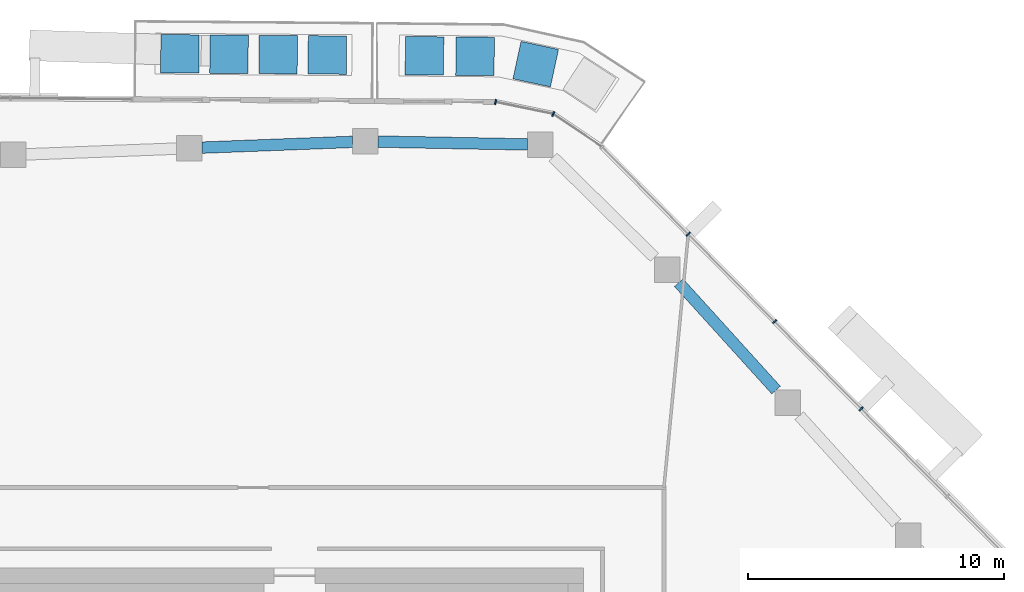
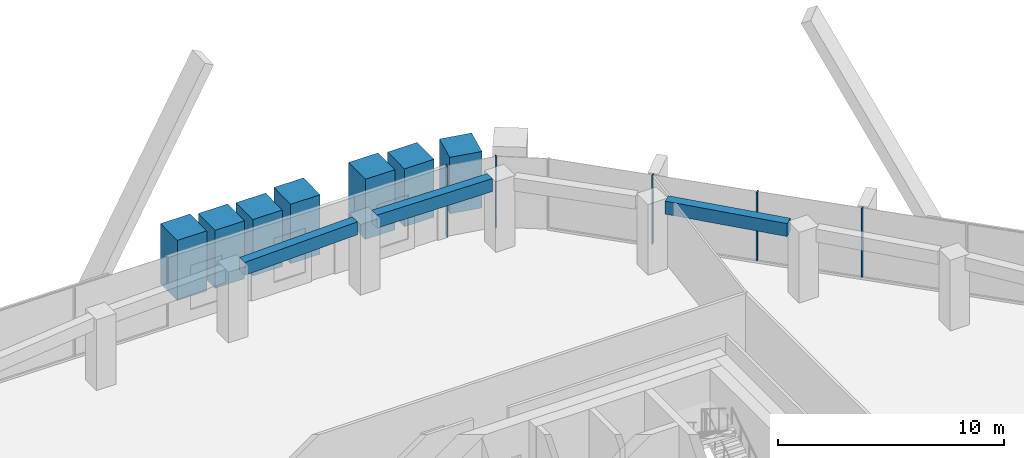
# One storey, part 9 of 23: 12 members, 3 beams, 2 elements without a shape of their own.
"""IFC4 building model written with IfcOpenShell, lengths in metres."""

from ifc_helpers import new_model, si_unit, direction, frame, origin, origin_2d, place, context, subcontext, project, spatial, rectangle, extrude, material, layer, layer_set, material_profile, profile_set, type_object, element, aggregate, save


model = new_model("IFC4")

# Units and contexts
model_context = context("Model", 3, precision=1e-05, world=origin(), true_north=direction((0.0, 1.0)))
body_context = subcontext(model_context, "Body", "Model", "MODEL_VIEW")
ifc_project = project(units=[si_unit("LENGTHUNIT", "METRE"), si_unit("AREAUNIT", "SQUARE_METRE"), si_unit("VOLUMEUNIT", "CUBIC_METRE"), si_unit("PLANEANGLEUNIT", "RADIAN"), si_unit("MASSUNIT", "GRAM", prefix="KILO")], contexts=[model_context])

# Site, building, storey
site_placement = place(None, origin())
site = spatial("IfcSite", under=ifc_project, at=site_placement, CompositionType="ELEMENT")
building_placement = place(site_placement, origin())
building = spatial("IfcBuilding", under=site, at=building_placement, Name="Dongbaek Canopy Tower", CompositionType="ELEMENT")
storey_placement = place(building_placement, frame((0.0, 0.0, 327.800048828125)))
storey = spatial("IfcBuildingStorey", under=building, at=storey_placement, Name="L70", CompositionType="ELEMENT", Elevation=327.800048828125)

# Curtain wall, members
ifc_material_1 = material(Name="Aluminium 6063-T6 pale anodised", Category="aluminium")
ifc_layer = layer(ifc_material_1, 0.199951171875)
ifc_layer_set = layer_set([ifc_layer], Name="CW-1 unitised tower curtain wall")
curtain_wall_type = type_object("IfcCurtainWallType", Name="CW-1 unitised tower curtain wall", PredefinedType="NOTDEFINED", material=ifc_layer_set)
curtain_wall_1_placement = place(storey_placement, origin())
curtain_wall_1 = element("IfcCurtainWall", 1, at=curtain_wall_1_placement, inside=storey, type_object=curtain_wall_type, Name="CW-1 curtain wall F0.1", PredefinedType="NOTDEFINED")
ifc_material_2 = material(Name="Aluminium 6063-T6 pale anodised", Category="aluminium")
ifc_material_profile_1 = material_profile(ifc_material_2, rectangle(XDim=0.199951171875, YDim=0.06005859375, at=origin_2d()), Name="CW-1 mullion 60 x 200")
ifc_profile_set_1 = profile_set([ifc_material_profile_1], Name="Aluminium 6063-T6 pale anodised")
member_type_1 = type_object("IfcMemberType", Name="CW-1 mullion 60 x 200", PredefinedType="MULLION", material=ifc_profile_set_1)
member_1_placement = place(storey_placement, frame((24.86279296875, 17.223876953125, 0.119873046875), z_axis=(0.0, 0.0, 1.0), x_axis=(0.711035260325, 0.703156354287, 0.0)))
member_1 = element("IfcMember", 2, at=member_1_placement, type_object=member_type_1, Name="CW-1 mullion F0.1.3", PredefinedType="MULLION", context=body_context, shape_type="SweptSolid", body=[
    extrude(rectangle(XDim=0.199951171875, YDim=0.06005859375, at=origin_2d()), origin(), (0.0, 0.0, 1.0), 3.7001953125),
])
member_2_placement = place(storey_placement, frame((21.482177734375, 20.642333984375, 0.119873046875), z_axis=(0.0, 0.0, 1.0), x_axis=(0.711035260325, 0.703156354287, 0.0)))
member_2 = element("IfcMember", 3, at=member_2_placement, type_object=member_type_1, Name="CW-1 mullion F0.1.4", PredefinedType="MULLION", context=body_context, shape_type="SweptSolid", body=[
    extrude(rectangle(XDim=0.199951171875, YDim=0.06005859375, at=origin_2d()), origin(), (0.0, 0.0, 1.0), 3.7001953125),
])
member_3_placement = place(storey_placement, frame((18.101806640625, 24.060791015625, 0.119873046875), z_axis=(0.0, 0.0, 1.0), x_axis=(0.711035260325, 0.703156354287, 0.0)))
member_3 = element("IfcMember", 4, at=member_3_placement, type_object=member_type_1, Name="CW-1 mullion F0.1.5", PredefinedType="MULLION", context=body_context, shape_type="SweptSolid", body=[
    extrude(rectangle(XDim=0.199951171875, YDim=0.06005859375, at=origin_2d()), origin(), (0.0, 0.0, 1.0), 3.7001953125),
])
aggregate(curtain_wall_1, [member_1, member_2, member_3])

curtain_wall_2_placement = place(storey_placement, origin())
curtain_wall_2 = element("IfcCurtainWall", 5, at=curtain_wall_2_placement, inside=storey, type_object=curtain_wall_type, Name="CW-1 curtain wall K1.1", PredefinedType="NOTDEFINED")
member_4_placement = place(storey_placement, frame((12.8193359375, 28.764404296875, 0.0), z_axis=(0.0, 0.0, 1.0), x_axis=(0.388843204791, 0.921303946636, 0.0)))
member_4 = element("IfcMember", 6, at=member_4_placement, type_object=member_type_1, Name="CW-1 mullion K1.1.2", PredefinedType="MULLION", context=body_context, shape_type="SweptSolid", body=[
    extrude(rectangle(XDim=0.199951171875, YDim=0.06005859375, at=origin_2d()), origin(), (0.0, 0.0, 1.0), 3.820068359375),
])
member_5_placement = place(storey_placement, frame((10.56201171875, 29.23046875, 0.0), z_axis=(0.0, 0.0, 1.0), x_axis=(0.2021754834, 0.979349311488, 0.0)))
member_5 = element("IfcMember", 7, at=member_5_placement, type_object=member_type_1, Name="CW-1 mullion K1.1.3", PredefinedType="MULLION", context=body_context, shape_type="SweptSolid", body=[
    extrude(rectangle(XDim=0.199951171875, YDim=0.06005859375, at=origin_2d()), origin(), (0.0, 0.0, 1.0), 3.820068359375),
])
aggregate(curtain_wall_2, [member_4, member_5])

# Beams
ifc_material_3 = material(Name="Concrete C60", Category="concrete")
ifc_material_profile_2 = material_profile(ifc_material_3, rectangle(XDim=0.449951171875, YDim=0.699951171875, at=origin_2d()), Name="RC EDGE BEAM 450x700 C60")
ifc_profile_set_2 = profile_set([ifc_material_profile_2], Name="Concrete C60")
beam_type = type_object("IfcBeamType", Name="RC EDGE BEAM 450x700 C60", PredefinedType="BEAM", material=ifc_profile_set_2)
beam_1_placement = place(storey_placement, frame((-0.91796875, 27.447265625, 3.469970703125), z_axis=(0.999267098379, 0.038278794366, 0.0), x_axis=(-0.038278794366, 0.999267098379, 0.0)))
element("IfcBeam", 8, at=beam_1_placement, inside=storey, type_object=beam_type, Name="EDGEBEAM:L70:15", PredefinedType="BEAM", context=body_context, shape_type="SweptSolid", body=[
    extrude(rectangle(XDim=0.449951171875, YDim=0.699951171875, at=origin_2d()), origin(), (0.0, 0.0, 1.0), 5.893310546875),
])
beam_2_placement = place(storey_placement, frame((5.970947265625, 27.6826171875, 3.469970703125), z_axis=(0.99982249395, -0.018840928625, 0.0), x_axis=(0.018840928625, 0.99982249395, 0.0)))
element("IfcBeam", 9, at=beam_2_placement, inside=storey, type_object=beam_type, Name="EDGEBEAM:L70:16", PredefinedType="BEAM", context=body_context, shape_type="SweptSolid", body=[
    extrude(rectangle(XDim=0.449951171875, YDim=0.699951171875, at=origin_2d()), origin(), (0.0, 0.0, 1.0), 5.843994140625),
])
beam_3_placement = place(storey_placement, frame((17.72900390625, 22.166015625, 3.469970703125), z_axis=(0.67133921348, -0.741150227986, 0.0), x_axis=(0.741150227986, 0.67133921348, 0.0)))
element("IfcBeam", 10, at=beam_3_placement, inside=storey, type_object=beam_type, Name="EDGEBEAM:L70:18", PredefinedType="BEAM", context=body_context, shape_type="SweptSolid", body=[
    extrude(rectangle(XDim=0.449951171875, YDim=0.699951171875, at=origin_2d()), origin(), (0.0, 0.0, 1.0), 5.67236328125),
])

# Members
ifc_material_4 = material(Name="Concrete C40/50 planter mass with planting", Category="concrete")
ifc_material_profile_3 = material_profile(ifc_material_4, rectangle(XDim=1.5, YDim=1.5, at=origin_2d()), Name="Terrace PLANTER shrub mass 1500 x 1500")
ifc_profile_set_3 = profile_set([ifc_material_profile_3], Name="Concrete C40/50 planter mass with planting")
member_type_2 = type_object("IfcMemberType", Name="Terrace PLANTER shrub mass 1500 x 1500", PredefinedType="USERDEFINED", material=ifc_profile_set_3)
member_6_placement = place(storey_placement, frame((3.979248046875, 31.07177734375, 0.419921875), z_axis=(0.0, 0.0, 1.0), x_axis=(0.007781807363, 0.999969721279, 0.0)))
element("IfcMember", 11, at=member_6_placement, inside=storey, type_object=member_type_2, Name="Planter shrubs L70 1.1", ObjectType="PLANTER", PredefinedType="USERDEFINED", context=body_context, shape_type="SweptSolid", body=[
    extrude(rectangle(XDim=1.5, YDim=1.5, at=origin_2d()), origin(), (0.0, 0.0, 1.0), 3.2099609375),
])
member_7_placement = place(storey_placement, frame((2.056640625, 31.086669921875, 0.419921875), z_axis=(0.0, 0.0, 1.0), x_axis=(0.007781807363, 0.999969721279, 0.0)))
element("IfcMember", 12, at=member_7_placement, inside=storey, type_object=member_type_2, Name="Planter shrubs L70 1.2", ObjectType="PLANTER", PredefinedType="USERDEFINED", context=body_context, shape_type="SweptSolid", body=[
    extrude(rectangle(XDim=1.5, YDim=1.5, at=origin_2d()), origin(), (0.0, 0.0, 1.0), 3.050048828125),
])
member_8_placement = place(storey_placement, frame((0.134033203125, 31.1015625, 0.419921875), z_axis=(0.0, 0.0, 1.0), x_axis=(0.007781807363, 0.999969721279, 0.0)))
element("IfcMember", 13, at=member_8_placement, inside=storey, type_object=member_type_2, Name="Planter shrubs L70 1.3", ObjectType="PLANTER", PredefinedType="USERDEFINED", context=body_context, shape_type="SweptSolid", body=[
    extrude(rectangle(XDim=1.5, YDim=1.5, at=origin_2d()), origin(), (0.0, 0.0, 1.0), 3.130126953125),
])
member_9_placement = place(storey_placement, frame((-1.78857421875, 31.11669921875, 0.419921875), z_axis=(0.0, 0.0, 1.0), x_axis=(0.007781807363, 0.999969721279, 0.0)))
element("IfcMember", 14, at=member_9_placement, inside=storey, type_object=member_type_2, Name="Planter shrubs L70 1.4", ObjectType="PLANTER", PredefinedType="USERDEFINED", context=body_context, shape_type="SweptSolid", body=[
    extrude(rectangle(XDim=1.5, YDim=1.5, at=origin_2d()), origin(), (0.0, 0.0, 1.0), 3.25),
])
member_10_placement = place(storey_placement, frame((12.133544921875, 30.713134765625, 0.419921875), z_axis=(0.0, 0.0, 1.0), x_axis=(0.210546309323, 0.977583884703, 0.0)))
element("IfcMember", 15, at=member_10_placement, inside=storey, type_object=member_type_2, Name="Planter shrubs L70 5.2", ObjectType="PLANTER", PredefinedType="USERDEFINED", context=body_context, shape_type="SweptSolid", body=[
    extrude(rectangle(XDim=1.5, YDim=1.5, at=origin_2d()), origin(), (0.0, 0.0, 1.0), 3.050048828125),
])
member_11_placement = place(storey_placement, frame((9.760986328125, 31.020751953125, 0.419921875), z_axis=(0.0, 0.0, 1.0), x_axis=(0.009824870646, 0.999951734794, 0.0)))
element("IfcMember", 16, at=member_11_placement, inside=storey, type_object=member_type_2, Name="Planter shrubs L70 5.3", ObjectType="PLANTER", PredefinedType="USERDEFINED", context=body_context, shape_type="SweptSolid", body=[
    extrude(rectangle(XDim=1.5, YDim=1.5, at=origin_2d()), origin(), (0.0, 0.0, 1.0), 3.130126953125),
])
member_12_placement = place(storey_placement, frame((7.78076171875, 31.0400390625, 0.419921875), z_axis=(0.0, 0.0, 1.0), x_axis=(0.009824870646, 0.999951734794, 0.0)))
element("IfcMember", 17, at=member_12_placement, inside=storey, type_object=member_type_2, Name="Planter shrubs L70 5.4", ObjectType="PLANTER", PredefinedType="USERDEFINED", context=body_context, shape_type="SweptSolid", body=[
    extrude(rectangle(XDim=1.5, YDim=1.5, at=origin_2d()), origin(), (0.0, 0.0, 1.0), 3.25),
])

save(model, "model.ifc")
